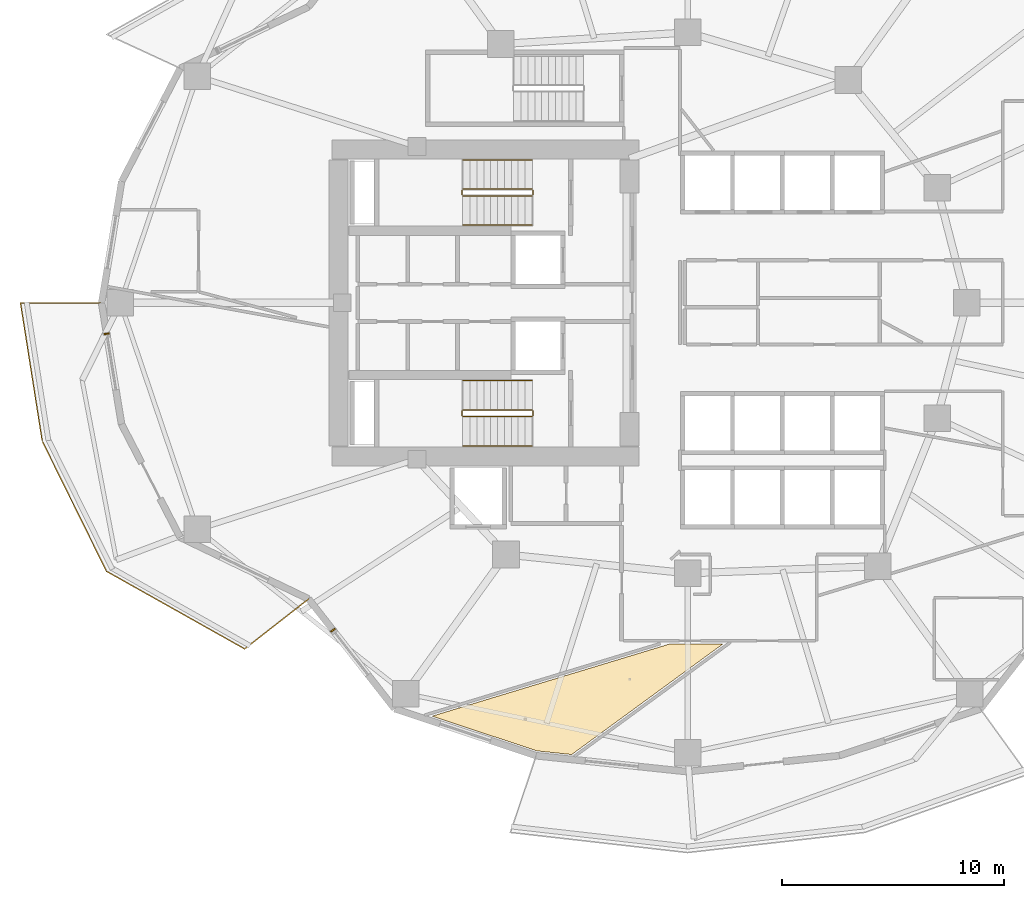
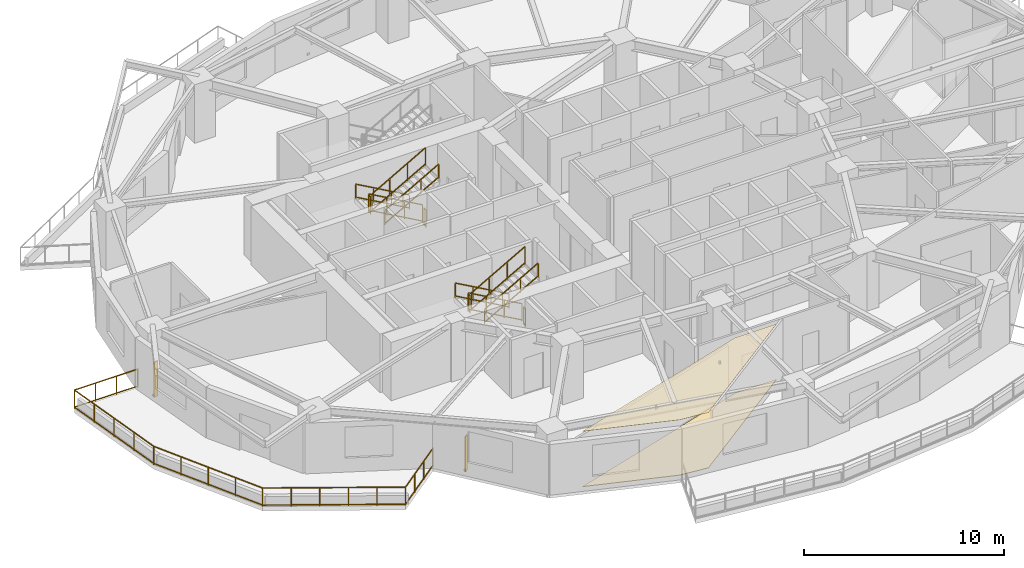
# One storey, part 12 of 16: 13 railings, 2 coverings, 2 shading devices.
"""IFC4 building model written with IfcOpenShell, lengths in metres."""

import ifcopenshell
import ifcopenshell.guid

model = None  # the IFC model being written
_history = None  # IfcOwnerHistory: only IFC2X3 demands one
_inside = {}  # id of a spatial element -> (the spatial element, [elements in it])
_under = {}  # id of a project, library or spatial element -> (it, [spatial elements below it])
_declared = {}  # id of a project -> (the project, [libraries it declares])
_typed = {}  # id of a type object -> (the type object, [elements of that type])
_made_of = {}  # id of a material, layer set ... -> (it, [elements and type objects made of it])


def new_model(schema):
    """Start an empty IFC model of exactly this schema.

    Asked for "IFC4X3", IfcOpenShell would pick the latest addendum, in which some entities
    have other attributes; the version numbers below select the first issue.
    IFC2X3 requires an IfcOwnerHistory on every rooted entity: one is made here for all.
    """
    global model, _history
    if schema == "IFC4X3":
        model = ifcopenshell.file(schema_version=(4, 3, 0, 0))
    else:
        model = ifcopenshell.file(schema=schema)
    _inside.clear()
    _under.clear()
    _declared.clear()
    _typed.clear()
    _made_of.clear()
    _history = None
    if model.schema == "IFC2X3":
        org = make("IfcOrganization", Name="unknown")
        user = make(
            "IfcPersonAndOrganization",
            ThePerson=make("IfcPerson", FamilyName="unknown"),
            TheOrganization=org,
        )
        app = make(
            "IfcApplication",
            ApplicationDeveloper=org,
            Version="unknown",
            ApplicationFullName="unknown",
            ApplicationIdentifier="unknown",
        )
        _history = make(
            "IfcOwnerHistory",
            OwningUser=user,
            OwningApplication=app,
            ChangeAction="ADDED",
            CreationDate=0,
        )
    return model


def make(cls, **values):
    """One entity of the class cls with the attributes given. An attribute that is None is left unset."""
    return model.create_entity(
        cls, **{name: value for name, value in values.items() if value is not None}
    )


def rooted(cls, **values):
    """An entity with a GlobalId (a new one), such as an element, a storey or a relation."""
    return make(cls, GlobalId=ifcopenshell.guid.new(), OwnerHistory=_history, **values)


def si_unit(unit_type, name, prefix=None):
    """IfcSIUnit, for example si_unit("LENGTHUNIT", "METRE", prefix="MILLI")."""
    return make("IfcSIUnit", UnitType=unit_type, Prefix=prefix, Name=name)


def assignment(units):
    """IfcUnitAssignment: the units of a project."""
    return None if units is None else make("IfcUnitAssignment", Units=units)


def point(xyz):
    """IfcCartesianPoint."""
    return None if xyz is None else make("IfcCartesianPoint", Coordinates=xyz)


def direction(xyz):
    """IfcDirection."""
    return None if xyz is None else make("IfcDirection", DirectionRatios=xyz)


def frame(location, z_axis=None, x_axis=None):
    """IfcAxis2Placement3D, a coordinate frame: its origin and axes. An axis left out is left unset."""
    return make(
        "IfcAxis2Placement3D",
        Location=point(location),
        Axis=direction(z_axis),
        RefDirection=direction(x_axis),
    )


def frame_2d(location, x_axis=None):
    """IfcAxis2Placement2D, a coordinate frame in the plane: its origin and x axis."""
    return make(
        "IfcAxis2Placement2D", Location=point(location), RefDirection=direction(x_axis)
    )


def origin():
    """The frame at (0, 0, 0) with its axes left unset."""
    return frame((0.0, 0.0, 0.0))


def origin_2d():
    """The frame at (0, 0) in the plane with its x axis left unset."""
    return frame_2d((0.0, 0.0))


def place(relative_to, where):
    """IfcLocalPlacement: puts the frame where relative to a parent placement (None: the world)."""
    return make(
        "IfcLocalPlacement", PlacementRelTo=relative_to, RelativePlacement=where
    )


def context(
    kind, dimensions, precision=None, world=None, true_north=None, identifier=None
):
    """IfcGeometricRepresentationContext, for example the 3D "Model" context."""
    return make(
        "IfcGeometricRepresentationContext",
        ContextIdentifier=identifier,
        ContextType=kind,
        CoordinateSpaceDimension=dimensions,
        Precision=precision,
        WorldCoordinateSystem=world,
        TrueNorth=true_north,
    )


def subcontext(parent, identifier, kind, view, scale=None):
    """IfcGeometricRepresentationSubContext, for example "Body" below "Model"."""
    return make(
        "IfcGeometricRepresentationSubContext",
        ContextIdentifier=identifier,
        ContextType=kind,
        ParentContext=parent,
        TargetScale=scale,
        TargetView=view,
    )


def project(units=None, contexts=None):
    """IfcProject with its units and contexts."""
    return rooted(
        "IfcProject",
        Name="project",
        RepresentationContexts=contexts,
        UnitsInContext=assignment(units),
    )


def spatial(cls, under=None, at=None, **own):
    """A site, building, storey or space (cls), placed at a placement, below another one or the project."""
    s = rooted(cls, ObjectPlacement=at, **own)
    if under is not None:
        _under.setdefault(under.id(), (under, []))[1].append(s)
    return s


def polyline(points):
    """IfcPolyline through the points."""
    return make("IfcPolyline", Points=[point(p) for p in points])


def profile(cls, at=None, kind="AREA", **sizes):
    """A parametric profile (cls). Its sizes go by their IFC names, for example OverallWidth=200.0."""
    return make(cls, ProfileType=kind, Position=at, **sizes)


def rectangle(**sizes):
    """IfcRectangleProfileDef."""
    return profile("IfcRectangleProfileDef", **sizes)


def outline(outer, holes=None, kind="AREA"):
    """IfcArbitraryClosedProfileDef: a profile drawn as a closed curve; with holes, ...WithVoids."""
    if holes is None:
        return make("IfcArbitraryClosedProfileDef", ProfileType=kind, OuterCurve=outer)
    return make(
        "IfcArbitraryProfileDefWithVoids",
        ProfileType=kind,
        OuterCurve=outer,
        InnerCurves=holes,
    )


def extrude(swept, where, along, depth):
    """IfcExtrudedAreaSolid: the profile swept, set in the frame where, extruded along a direction by depth."""
    return make(
        "IfcExtrudedAreaSolid",
        SweptArea=swept,
        Position=where,
        ExtrudedDirection=direction(along),
        Depth=depth,
    )


def shape(context_of_items, identifier, shape_type, items):
    """IfcShapeRepresentation: the items that make up one representation, for example the "Body"."""
    return make(
        "IfcShapeRepresentation",
        ContextOfItems=context_of_items,
        RepresentationIdentifier=identifier,
        RepresentationType=shape_type,
        Items=items,
    )


def material(Name=None, Category=None):
    """IfcMaterial."""
    return make("IfcMaterial", Name=Name, Category=Category)


def layer(
    of_material, thickness, ventilated=None, Name=None, Category=None, Priority=None
):
    """IfcMaterialLayer: one layer of a wall or slab, of a material (None: an air gap)."""
    return make(
        "IfcMaterialLayer",
        Material=of_material,
        LayerThickness=thickness,
        IsVentilated=ventilated,
        Name=Name,
        Category=Category,
        Priority=Priority,
    )


def layer_set(layers, Name=None):
    """IfcMaterialLayerSet."""
    return make("IfcMaterialLayerSet", MaterialLayers=layers, LayerSetName=Name)


def made_of(thing, what):
    """Note that an element or type object is made of a material, layer set ...; save() writes the relation."""
    if what is not None:
        _made_of.setdefault(what.id(), (what, []))[1].append(thing)
    return thing


def type_object(cls, material=None, **own):
    """A type object (cls), such as IfcWallType, which elements share."""
    return made_of(rooted(cls, **own), material)


def element(
    cls,
    number,
    at=None,
    inside=None,
    cuts=None,
    type_object=None,
    material=None,
    context=None,
    identifier="Body",
    shape_type=None,
    held_by="IfcProductDefinitionShape",
    body=None,
    shapes=None,
    **own,
):
    """One element of the class cls, such as IfcWall. Its Tag is "e" and its number.

    at: its placement. inside: the storey or other place that contains it. cuts: it is an
    opening in that element (IfcRelVoidsElement). A single representation is given by context,
    identifier, shape_type and body (its items); several are given by shapes. held_by: the class
    of the entity that holds the representations. save() writes the other relations.
    """
    e = rooted(cls, Tag="e%d" % number, ObjectPlacement=at, **own)
    if body is not None:
        shapes = [shape(context, identifier, shape_type, body)]
    if shapes is not None:
        e.Representation = make(held_by, Representations=shapes)
    if inside is not None:
        _inside.setdefault(inside.id(), (inside, []))[1].append(e)
    if cuts is not None:
        rooted(
            "IfcRelVoidsElement", RelatingBuildingElement=cuts, RelatedOpeningElement=e
        )
    if type_object is not None:
        _typed.setdefault(type_object.id(), (type_object, []))[1].append(e)
    return made_of(e, material)


def aggregate(whole, parts):
    """IfcRelAggregates: a whole, such as a stair, and the parts it consists of."""
    return rooted("IfcRelAggregates", RelatingObject=whole, RelatedObjects=parts)


def save(model, path):
    """Write the relations noted so far, then the file.

    IfcRelAggregates (storeys below a building ...), IfcRelContainedInSpatialStructure (elements
    in a storey), IfcRelDefinesByType, IfcRelAssociatesMaterial and IfcRelDeclares: one each for
    every whole, place, type object, material and project.
    """
    for whole, parts in _under.values():
        aggregate(whole, parts)
    for where, things in _inside.values():
        rooted(
            "IfcRelContainedInSpatialStructure",
            RelatedElements=things,
            RelatingStructure=where,
        )
    for kind, things in _typed.values():
        rooted("IfcRelDefinesByType", RelatedObjects=things, RelatingType=kind)
    for what, things in _made_of.values():
        rooted("IfcRelAssociatesMaterial", RelatedObjects=things, RelatingMaterial=what)
    for by, libraries in _declared.values():
        rooted("IfcRelDeclares", RelatingContext=by, RelatedDefinitions=libraries)
    model.write(path)


model = new_model("IFC4")

# Units and contexts
model_context = context("Model", 3, precision=1e-05, world=origin(), true_north=direction((0.0, 1.0)))
body_context = subcontext(model_context, "Body", "Model", "MODEL_VIEW")
ifc_project = project(units=[si_unit("LENGTHUNIT", "METRE"), si_unit("AREAUNIT", "SQUARE_METRE"), si_unit("VOLUMEUNIT", "CUBIC_METRE"), si_unit("PLANEANGLEUNIT", "RADIAN"), si_unit("MASSUNIT", "GRAM", prefix="KILO")], contexts=[model_context])

# Site, building, storey
site_placement = place(None, origin())
site = spatial("IfcSite", under=ifc_project, at=site_placement, CompositionType="ELEMENT")
building_placement = place(site_placement, origin())
building = spatial("IfcBuilding", under=site, at=building_placement, Name="Kolvaren Gate Tower and Convention Centre", CompositionType="ELEMENT")
storey_placement = place(building_placement, frame((0.0, 0.0, 65.0)))
storey = spatial("IfcBuildingStorey", under=building, at=storey_placement, Name="L15", CompositionType="ELEMENT", Elevation=65.0)

# Coverings
ifc_material_1 = material(Name="Perforated Mineral-Fibre Acoustic Ceiling Tile 18 mm", Category="gypsum")
ifc_layer_1 = layer(ifc_material_1, 0.01806640625)
ifc_layer_set_1 = layer_set([ifc_layer_1], Name="Perforated Mineral-Fibre Acoustic Ceiling Tile 18 mm")
covering_type_1 = type_object("IfcCoveringType", Name="ARCH-COV-CEIL-18", PredefinedType="CEILING", material=ifc_layer_set_1)
covering_1_placement = place(storey_placement, frame((0.0, 0.0, 3.389892578125)))
element("IfcCovering", 1, at=covering_1_placement, inside=storey, type_object=covering_type_1, Name="Legal Chambers Cellular Office Acoustic Suspended Ceiling", PredefinedType="CEILING", context=body_context, shape_type="SweptSolid", body=[
    extrude(outline(polyline([(24.89501953125, 6.6220703125), (23.3291015625, 6.787109375), (18.59912109375, 8.35400390625), (29.31689453125, 11.610107421875), (31.716064453125, 11.610107421875), (24.89501953125, 6.6220703125)])), origin(), (0.0, 0.0, 1.0), 0.01806640625),
])
ifc_material_2 = material(Name="Honed Sabana Limestone Terrazzo Flooring 30 mm", Category="masonry")
ifc_layer_2 = layer(ifc_material_2, 0.030029296875)
ifc_layer_set_2 = layer_set([ifc_layer_2], Name="Honed Sabana Limestone Terrazzo Flooring 30 mm")
covering_type_2 = type_object("IfcCoveringType", Name="ARCH-COV-FLR-30", PredefinedType="FLOORING", material=ifc_layer_set_2)
covering_2_placement = place(storey_placement, origin())
element("IfcCovering", 2, at=covering_2_placement, inside=storey, type_object=covering_type_2, Name="Legal Chambers Cellular Office Interior Finish Flooring", PredefinedType="FLOORING", context=body_context, shape_type="SweptSolid", body=[
    extrude(outline(polyline([(24.89501953125, 6.6220703125), (23.3291015625, 6.787109375), (18.59912109375, 8.35400390625), (29.31689453125, 11.610107421875), (31.716064453125, 11.610107421875), (24.89501953125, 6.6220703125)])), origin(), (0.0, 0.0, 1.0), 0.030029296875),
])

# Railings
ifc_material_3 = material(Name="Brushed Stainless Steel Grade 316L", Category="steel")
railing_type_1 = type_object("IfcRailingType", Name="ARCH-RL-GUARD-1150", PredefinedType="GUARDRAIL", material=ifc_material_3)
railing_1_placement = place(storey_placement, frame((23.10009765625, 32.1298828125, 0.175048828125)))
element("IfcRailing", 3, at=railing_1_placement, inside=storey, type_object=railing_type_1, Name="L15 ST-T1 stair guard 1", PredefinedType="GUARDRAIL", context=body_context, shape_type="SweptSolid", body=[
    extrude(rectangle(XDim=0.048095703125, YDim=0.048095703125, at=origin_2d()), frame((0.0, 0.0, 1.076171875), z_axis=(-0.870830938388, 0.0, 0.491582624537), x_axis=(0.0, -1.0, 0.0)), (0.0, 0.0, 1.0), 3.559814453125),
    extrude(rectangle(XDim=0.048095703125, YDim=0.048095703125, at=origin_2d()), frame((0.0, 0.0, 0.083984375), z_axis=(-0.870830938388, 0.0, 0.491582624537), x_axis=(0.0, -1.0, 0.0)), (0.0, 0.0, 1.0), 3.559814453125),
    extrude(rectangle(XDim=0.0419921875, YDim=0.0419921875, at=origin_2d()), origin(), (0.0, 0.0, 1.0), 1.050048828125),
    extrude(rectangle(XDim=0.0419921875, YDim=0.0419921875, at=origin_2d()), frame((-3.10009765625, 0.0, 1.75)), (0.0, 0.0, 1.0), 1.050048828125),
    extrude(rectangle(XDim=0.0419921875, YDim=0.0419921875, at=origin_2d()), frame((-1.033447265625, 0.0, 0.583251953125)), (0.0, 0.0, 1.0), 1.050048828125),
    extrude(rectangle(XDim=0.0419921875, YDim=0.0419921875, at=origin_2d()), frame((-2.066650390625, 0.0, 1.166748046875)), (0.0, 0.0, 1.0), 1.050048828125),
])
railing_2_placement = place(storey_placement, frame((19.949951171875, 32.080078125, 1.925048828125)))
element("IfcRailing", 4, at=railing_2_placement, inside=storey, type_object=railing_type_1, Name="L15 ST-T1 stair guard 2", PredefinedType="GUARDRAIL", context=body_context, shape_type="SweptSolid", body=[
    extrude(rectangle(XDim=0.048095703125, YDim=0.048095703125, at=origin_2d()), frame((0.0, 0.0, 1.076171875), z_axis=(0.0, -1.0, 0.0), x_axis=(1.0, 0.0, 0.0)), (0.0, 0.0, 1.0), 0.2001953125),
    extrude(rectangle(XDim=0.048095703125, YDim=0.048095703125, at=origin_2d()), frame((0.0, 0.0, 0.083984375), z_axis=(0.0, -1.0, 0.0), x_axis=(1.0, 0.0, 0.0)), (0.0, 0.0, 1.0), 0.2001953125),
    extrude(rectangle(XDim=0.0419921875, YDim=0.0419921875, at=origin_2d()), origin(), (0.0, 0.0, 1.0), 1.050048828125),
    extrude(rectangle(XDim=0.0419921875, YDim=0.0419921875, at=origin_2d()), frame((0.0, -0.2001953125, 0.0)), (0.0, 0.0, 1.0), 1.050048828125),
])
railing_3_placement = place(storey_placement, frame((20.0, 31.830078125, 2.10009765625)))
element("IfcRailing", 5, at=railing_3_placement, inside=storey, type_object=railing_type_1, Name="L15 ST-T1 stair guard 3", PredefinedType="GUARDRAIL", context=body_context, shape_type="SweptSolid", body=[
    extrude(rectangle(XDim=0.048095703125, YDim=0.048095703125, at=origin_2d()), frame((0.0, 0.0, 1.076171875), z_axis=(0.870830938388, 0.0, 0.491582624537), x_axis=(0.0, 1.0, 0.0)), (0.0, 0.0, 1.0), 3.559814453125),
    extrude(rectangle(XDim=0.048095703125, YDim=0.048095703125, at=origin_2d()), frame((0.0, 0.0, 0.083984375), z_axis=(0.870830938388, 0.0, 0.491582624537), x_axis=(0.0, 1.0, 0.0)), (0.0, 0.0, 1.0), 3.559814453125),
    extrude(rectangle(XDim=0.0419921875, YDim=0.0419921875, at=origin_2d()), origin(), (0.0, 0.0, 1.0), 1.050048828125),
    extrude(rectangle(XDim=0.0419921875, YDim=0.0419921875, at=origin_2d()), frame((3.10009765625, 0.0, 1.75)), (0.0, 0.0, 1.0), 1.050048828125),
    extrude(rectangle(XDim=0.0419921875, YDim=0.0419921875, at=origin_2d()), frame((1.033447265625, 0.0, 0.583251953125)), (0.0, 0.0, 1.0), 1.050048828125),
    extrude(rectangle(XDim=0.0419921875, YDim=0.0419921875, at=origin_2d()), frame((2.066650390625, 0.0, 1.166748046875)), (0.0, 0.0, 1.0), 1.050048828125),
])
railing_4_placement = place(storey_placement, frame((23.14990234375, 32.080078125, 0.0)))
element("IfcRailing", 6, at=railing_4_placement, inside=storey, type_object=railing_type_1, Name="L15 ST-T1 stair guard 4", PredefinedType="GUARDRAIL", context=body_context, shape_type="SweptSolid", body=[
    extrude(rectangle(XDim=0.048095703125, YDim=0.048095703125, at=origin_2d()), frame((0.0, 0.0, 1.076171875), z_axis=(0.0, -1.0, 0.0), x_axis=(1.0, 0.0, 0.0)), (0.0, 0.0, 1.0), 0.2001953125),
    extrude(rectangle(XDim=0.048095703125, YDim=0.048095703125, at=origin_2d()), frame((0.0, 0.0, 0.083984375), z_axis=(0.0, -1.0, 0.0), x_axis=(1.0, 0.0, 0.0)), (0.0, 0.0, 1.0), 0.2001953125),
    extrude(rectangle(XDim=0.0419921875, YDim=0.0419921875, at=origin_2d()), origin(), (0.0, 0.0, 1.0), 1.050048828125),
    extrude(rectangle(XDim=0.0419921875, YDim=0.0419921875, at=origin_2d()), frame((0.0, -0.2001953125, 0.0)), (0.0, 0.0, 1.0), 1.050048828125),
])
railing_5_placement = place(storey_placement, frame((23.10009765625, 22.169921875, 0.175048828125)))
element("IfcRailing", 7, at=railing_5_placement, inside=storey, type_object=railing_type_1, Name="L15 ST-T2 stair guard 1", PredefinedType="GUARDRAIL", context=body_context, shape_type="SweptSolid", body=[
    extrude(rectangle(XDim=0.048095703125, YDim=0.048095703125, at=origin_2d()), frame((0.0, 0.0, 1.076171875), z_axis=(-0.870830938388, 0.0, 0.491582624537), x_axis=(0.0, -1.0, 0.0)), (0.0, 0.0, 1.0), 3.559814453125),
    extrude(rectangle(XDim=0.048095703125, YDim=0.048095703125, at=origin_2d()), frame((0.0, 0.0, 0.083984375), z_axis=(-0.870830938388, 0.0, 0.491582624537), x_axis=(0.0, -1.0, 0.0)), (0.0, 0.0, 1.0), 3.559814453125),
    extrude(rectangle(XDim=0.0419921875, YDim=0.0419921875, at=origin_2d()), origin(), (0.0, 0.0, 1.0), 1.050048828125),
    extrude(rectangle(XDim=0.0419921875, YDim=0.0419921875, at=origin_2d()), frame((-3.10009765625, 0.0, 1.75)), (0.0, 0.0, 1.0), 1.050048828125),
    extrude(rectangle(XDim=0.0419921875, YDim=0.0419921875, at=origin_2d()), frame((-1.033447265625, 0.0, 0.583251953125)), (0.0, 0.0, 1.0), 1.050048828125),
    extrude(rectangle(XDim=0.0419921875, YDim=0.0419921875, at=origin_2d()), frame((-2.066650390625, 0.0, 1.166748046875)), (0.0, 0.0, 1.0), 1.050048828125),
])
railing_6_placement = place(storey_placement, frame((19.949951171875, 22.1201171875, 1.925048828125)))
element("IfcRailing", 8, at=railing_6_placement, inside=storey, type_object=railing_type_1, Name="L15 ST-T2 stair guard 2", PredefinedType="GUARDRAIL", context=body_context, shape_type="SweptSolid", body=[
    extrude(rectangle(XDim=0.048095703125, YDim=0.048095703125, at=origin_2d()), frame((0.0, 0.0, 1.076171875), z_axis=(0.0, -1.0, 0.0), x_axis=(1.0, 0.0, 0.0)), (0.0, 0.0, 1.0), 0.2001953125),
    extrude(rectangle(XDim=0.048095703125, YDim=0.048095703125, at=origin_2d()), frame((0.0, 0.0, 0.083984375), z_axis=(0.0, -1.0, 0.0), x_axis=(1.0, 0.0, 0.0)), (0.0, 0.0, 1.0), 0.2001953125),
    extrude(rectangle(XDim=0.0419921875, YDim=0.0419921875, at=origin_2d()), origin(), (0.0, 0.0, 1.0), 1.050048828125),
    extrude(rectangle(XDim=0.0419921875, YDim=0.0419921875, at=origin_2d()), frame((0.0, -0.2001953125, 0.0)), (0.0, 0.0, 1.0), 1.050048828125),
])
railing_7_placement = place(storey_placement, frame((20.0, 21.8701171875, 2.10009765625)))
element("IfcRailing", 9, at=railing_7_placement, inside=storey, type_object=railing_type_1, Name="L15 ST-T2 stair guard 3", PredefinedType="GUARDRAIL", context=body_context, shape_type="SweptSolid", body=[
    extrude(rectangle(XDim=0.048095703125, YDim=0.048095703125, at=origin_2d()), frame((0.0, 0.0, 1.076171875), z_axis=(0.870830938388, 0.0, 0.491582624537), x_axis=(0.0, 1.0, 0.0)), (0.0, 0.0, 1.0), 3.559814453125),
    extrude(rectangle(XDim=0.048095703125, YDim=0.048095703125, at=origin_2d()), frame((0.0, 0.0, 0.083984375), z_axis=(0.870830938388, 0.0, 0.491582624537), x_axis=(0.0, 1.0, 0.0)), (0.0, 0.0, 1.0), 3.559814453125),
    extrude(rectangle(XDim=0.0419921875, YDim=0.0419921875, at=origin_2d()), origin(), (0.0, 0.0, 1.0), 1.050048828125),
    extrude(rectangle(XDim=0.0419921875, YDim=0.0419921875, at=origin_2d()), frame((3.10009765625, 0.0, 1.75)), (0.0, 0.0, 1.0), 1.050048828125),
    extrude(rectangle(XDim=0.0419921875, YDim=0.0419921875, at=origin_2d()), frame((1.033447265625, 0.0, 0.583251953125)), (0.0, 0.0, 1.0), 1.050048828125),
    extrude(rectangle(XDim=0.0419921875, YDim=0.0419921875, at=origin_2d()), frame((2.066650390625, 0.0, 1.166748046875)), (0.0, 0.0, 1.0), 1.050048828125),
])
railing_8_placement = place(storey_placement, frame((23.14990234375, 22.1201171875, 0.0)))
element("IfcRailing", 10, at=railing_8_placement, inside=storey, type_object=railing_type_1, Name="L15 ST-T2 stair guard 4", PredefinedType="GUARDRAIL", context=body_context, shape_type="SweptSolid", body=[
    extrude(rectangle(XDim=0.048095703125, YDim=0.048095703125, at=origin_2d()), frame((0.0, 0.0, 1.076171875), z_axis=(0.0, -1.0, 0.0), x_axis=(1.0, 0.0, 0.0)), (0.0, 0.0, 1.0), 0.2001953125),
    extrude(rectangle(XDim=0.048095703125, YDim=0.048095703125, at=origin_2d()), frame((0.0, 0.0, 0.083984375), z_axis=(0.0, -1.0, 0.0), x_axis=(1.0, 0.0, 0.0)), (0.0, 0.0, 1.0), 0.2001953125),
    extrude(rectangle(XDim=0.0419921875, YDim=0.0419921875, at=origin_2d()), origin(), (0.0, 0.0, 1.0), 1.050048828125),
    extrude(rectangle(XDim=0.0419921875, YDim=0.0419921875, at=origin_2d()), frame((0.0, -0.2001953125, 0.0)), (0.0, 0.0, 1.0), 1.050048828125),
])
railing_9_placement = place(storey_placement, frame((3.6875, 27.0, 0.0)))
element("IfcRailing", 11, at=railing_9_placement, inside=storey, type_object=railing_type_1, Name="Tower L15 Terrace Perimeter Guardrail GR-2", PredefinedType="GUARDRAIL", context=body_context, shape_type="SweptSolid", body=[
    extrude(rectangle(XDim=0.048095703125, YDim=0.048095703125, at=origin_2d()), frame((-0.028076171875, 0.0, 1.1259765625), z_axis=(-1.0, 0.0, 0.0), x_axis=(0.0, -1.0, 0.0)), (0.0, 0.0, 1.0), 3.603759765625),
    extrude(rectangle(XDim=0.048095703125, YDim=0.048095703125, at=origin_2d()), frame((-0.028076171875, 0.0, 0.083984375), z_axis=(-1.0, 0.0, 0.0), x_axis=(0.0, -1.0, 0.0)), (0.0, 0.0, 1.0), 3.603759765625),
    extrude(rectangle(XDim=0.048095703125, YDim=0.048095703125, at=origin_2d()), frame((-3.655517578125, -0.027587890625, 1.1259765625), z_axis=(0.155418843943, -0.98784866399, 0.0), x_axis=(0.98784866399, 0.155418843943, 0.0)), (0.0, 0.0, 1.0), 6.261962890625),
    extrude(rectangle(XDim=0.048095703125, YDim=0.048095703125, at=origin_2d()), frame((-3.655517578125, -0.027587890625, 0.083984375), z_axis=(0.155418843943, -0.98784866399, 0.0), x_axis=(0.98784866399, 0.155418843943, 0.0)), (0.0, 0.0, 1.0), 6.261962890625),
    extrude(rectangle(XDim=0.048095703125, YDim=0.048095703125, at=origin_2d()), frame((-2.66552734375, -6.266357421875, 1.1259765625), z_axis=(0.442686636348, -0.89667638644, 0.0), x_axis=(0.89667638644, 0.442686636348, 0.0)), (0.0, 0.0, 1.0), 6.488525390625),
    extrude(rectangle(XDim=0.048095703125, YDim=0.048095703125, at=origin_2d()), frame((-2.66552734375, -6.266357421875, 0.083984375), z_axis=(0.442686636348, -0.89667638644, 0.0), x_axis=(0.89667638644, 0.442686636348, 0.0)), (0.0, 0.0, 1.0), 6.488525390625),
    extrude(rectangle(XDim=0.048095703125, YDim=0.048095703125, at=origin_2d()), frame((0.24365234375, -12.123291015625, 1.1259765625), z_axis=(0.871783301661, -0.489891697159, 0.0), x_axis=(0.489891697159, 0.871783301661, 0.0)), (0.0, 0.0, 1.0), 7.096435546875),
    extrude(rectangle(XDim=0.048095703125, YDim=0.048095703125, at=origin_2d()), frame((0.24365234375, -12.123291015625, 0.083984375), z_axis=(0.871783301661, -0.489891697159, 0.0), x_axis=(0.489891697159, 0.871783301661, 0.0)), (0.0, 0.0, 1.0), 7.096435546875),
    extrude(rectangle(XDim=0.048095703125, YDim=0.048095703125, at=origin_2d()), frame((6.476806640625, -15.59619140625, 1.1259765625), z_axis=(0.787988976981, 0.61568934712, 0.0), x_axis=(-0.61568934712, 0.787988976981, 0.0)), (0.0, 0.0, 1.0), 3.60400390625),
    extrude(rectangle(XDim=0.048095703125, YDim=0.048095703125, at=origin_2d()), frame((6.476806640625, -15.59619140625, 0.083984375), z_axis=(0.787988976981, 0.61568934712, 0.0), x_axis=(-0.61568934712, 0.787988976981, 0.0)), (0.0, 0.0, 1.0), 3.60400390625),
    extrude(rectangle(XDim=0.0419921875, YDim=0.0419921875, at=origin_2d()), origin(), (0.0, 0.0, 1.0), 1.14990234375),
    extrude(rectangle(XDim=0.0419921875, YDim=0.0419921875, at=origin_2d()), frame((-3.659912109375, 0.0, 0.0)), (0.0, 0.0, 1.0), 1.14990234375),
    extrude(rectangle(XDim=0.0419921875, YDim=0.0419921875, at=origin_2d()), frame((-1.219970703125, 0.0, 0.0)), (0.0, 0.0, 1.0), 1.099853515625),
    extrude(rectangle(XDim=0.0419921875, YDim=0.0419921875, at=origin_2d()), frame((-2.43994140625, 0.0, 0.0)), (0.0, 0.0, 1.0), 1.099853515625),
    extrude(rectangle(XDim=0.0419921875, YDim=0.0419921875, at=origin_2d()), frame((-2.677978515625, -6.2412109375, 0.0)), (0.0, 0.0, 1.0), 1.14990234375),
    extrude(rectangle(XDim=0.0419921875, YDim=0.0419921875, at=origin_2d()), frame((-3.41455078125, -1.560302734375, 0.0)), (0.0, 0.0, 1.0), 1.099853515625),
    extrude(rectangle(XDim=0.0419921875, YDim=0.0419921875, at=origin_2d()), frame((-3.1689453125, -3.12060546875, 0.0)), (0.0, 0.0, 1.0), 1.099853515625),
    extrude(rectangle(XDim=0.0419921875, YDim=0.0419921875, at=origin_2d()), frame((-2.92333984375, -4.680908203125, 0.0)), (0.0, 0.0, 1.0), 1.099853515625),
    extrude(rectangle(XDim=0.0419921875, YDim=0.0419921875, at=origin_2d()), frame((0.21923828125, -12.109619140625, 0.0)), (0.0, 0.0, 1.0), 1.14990234375),
    extrude(rectangle(XDim=0.0419921875, YDim=0.0419921875, at=origin_2d()), frame((-1.95361328125, -7.708251953125, 0.0)), (0.0, 0.0, 1.0), 1.099853515625),
    extrude(rectangle(XDim=0.0419921875, YDim=0.0419921875, at=origin_2d()), frame((-1.2294921875, -9.17529296875, 0.0)), (0.0, 0.0, 1.0), 1.099853515625),
    extrude(rectangle(XDim=0.0419921875, YDim=0.0419921875, at=origin_2d()), frame((-0.505126953125, -10.642578125, 0.0)), (0.0, 0.0, 1.0), 1.099853515625),
    extrude(rectangle(XDim=0.0419921875, YDim=0.0419921875, at=origin_2d()), frame((6.45458984375, -15.613525390625, 0.0)), (0.0, 0.0, 1.0), 1.14990234375),
    extrude(rectangle(XDim=0.0419921875, YDim=0.0419921875, at=origin_2d()), frame((1.46630859375, -12.810302734375, 0.0)), (0.0, 0.0, 1.0), 1.099853515625),
    extrude(rectangle(XDim=0.0419921875, YDim=0.0419921875, at=origin_2d()), frame((2.71337890625, -13.51123046875, 0.0)), (0.0, 0.0, 1.0), 1.099853515625),
    extrude(rectangle(XDim=0.0419921875, YDim=0.0419921875, at=origin_2d()), frame((3.96044921875, -14.2119140625, 0.0)), (0.0, 0.0, 1.0), 1.099853515625),
    extrude(rectangle(XDim=0.0419921875, YDim=0.0419921875, at=origin_2d()), frame((5.20751953125, -14.912841796875, 0.0)), (0.0, 0.0, 1.0), 1.099853515625),
    extrude(rectangle(XDim=0.0419921875, YDim=0.0419921875, at=origin_2d()), frame((9.338623046875, -13.360107421875, 0.0)), (0.0, 0.0, 1.0), 1.14990234375),
    extrude(rectangle(XDim=0.0419921875, YDim=0.0419921875, at=origin_2d()), frame((7.416015625, -14.8623046875, 0.0)), (0.0, 0.0, 1.0), 1.099853515625),
    extrude(rectangle(XDim=0.0419921875, YDim=0.0419921875, at=origin_2d()), frame((8.377197265625, -14.111328125, 0.0)), (0.0, 0.0, 1.0), 1.099853515625),
])
railing_type_2 = type_object("IfcRailingType", Name="ARCH-RL-HANDRAIL-920", PredefinedType="HANDRAIL", material=ifc_material_3)
railing_10_placement = place(storey_placement, frame((23.10009765625, 33.449951171875, 0.175048828125)))
element("IfcRailing", 12, at=railing_10_placement, inside=storey, type_object=railing_type_2, Name="L15 ST-T1 stair handrail 1", PredefinedType="HANDRAIL", context=body_context, shape_type="SweptSolid", body=[
    extrude(rectangle(XDim=0.048095703125, YDim=0.048095703125, at=origin_2d()), frame((0.0, 0.0, 0.8759765625), z_axis=(-0.870830938388, 0.0, 0.491582624537), x_axis=(0.0, -1.0, 0.0)), (0.0, 0.0, 1.0), 3.559814453125),
    extrude(rectangle(XDim=0.048095703125, YDim=0.048095703125, at=origin_2d()), frame((0.0, 0.0, 0.083984375), z_axis=(-0.870830938388, 0.0, 0.491582624537), x_axis=(0.0, -1.0, 0.0)), (0.0, 0.0, 1.0), 3.559814453125),
    extrude(rectangle(XDim=0.0419921875, YDim=0.0419921875, at=origin_2d()), origin(), (0.0, 0.0, 1.0), 0.849853515625),
    extrude(rectangle(XDim=0.0419921875, YDim=0.0419921875, at=origin_2d()), frame((-3.10009765625, 0.0, 1.75)), (0.0, 0.0, 1.0), 0.849853515625),
    extrude(rectangle(XDim=0.0419921875, YDim=0.0419921875, at=origin_2d()), frame((-1.033447265625, 0.0, 0.583251953125)), (0.0, 0.0, 1.0), 0.849853515625),
    extrude(rectangle(XDim=0.0419921875, YDim=0.0419921875, at=origin_2d()), frame((-2.066650390625, 0.0, 1.166748046875)), (0.0, 0.0, 1.0), 0.849853515625),
])
railing_11_placement = place(storey_placement, frame((20.0, 30.510009765625, 2.10009765625)))
element("IfcRailing", 13, at=railing_11_placement, inside=storey, type_object=railing_type_2, Name="L15 ST-T1 stair handrail 2", PredefinedType="HANDRAIL", context=body_context, shape_type="SweptSolid", body=[
    extrude(rectangle(XDim=0.048095703125, YDim=0.048095703125, at=origin_2d()), frame((0.0, 0.0, 0.8759765625), z_axis=(0.870830938388, 0.0, 0.491582624537), x_axis=(0.0, 1.0, 0.0)), (0.0, 0.0, 1.0), 3.559814453125),
    extrude(rectangle(XDim=0.048095703125, YDim=0.048095703125, at=origin_2d()), frame((0.0, 0.0, 0.083984375), z_axis=(0.870830938388, 0.0, 0.491582624537), x_axis=(0.0, 1.0, 0.0)), (0.0, 0.0, 1.0), 3.559814453125),
    extrude(rectangle(XDim=0.0419921875, YDim=0.0419921875, at=origin_2d()), origin(), (0.0, 0.0, 1.0), 0.849853515625),
    extrude(rectangle(XDim=0.0419921875, YDim=0.0419921875, at=origin_2d()), frame((3.10009765625, 0.0, 1.75)), (0.0, 0.0, 1.0), 0.849853515625),
    extrude(rectangle(XDim=0.0419921875, YDim=0.0419921875, at=origin_2d()), frame((1.033447265625, 0.0, 0.583251953125)), (0.0, 0.0, 1.0), 0.849853515625),
    extrude(rectangle(XDim=0.0419921875, YDim=0.0419921875, at=origin_2d()), frame((2.066650390625, 0.0, 1.166748046875)), (0.0, 0.0, 1.0), 0.849853515625),
])
railing_12_placement = place(storey_placement, frame((23.10009765625, 23.489990234375, 0.175048828125)))
element("IfcRailing", 14, at=railing_12_placement, inside=storey, type_object=railing_type_2, Name="L15 ST-T2 stair handrail 1", PredefinedType="HANDRAIL", context=body_context, shape_type="SweptSolid", body=[
    extrude(rectangle(XDim=0.048095703125, YDim=0.048095703125, at=origin_2d()), frame((0.0, 0.0, 0.8759765625), z_axis=(-0.870830938388, 0.0, 0.491582624537), x_axis=(0.0, -1.0, 0.0)), (0.0, 0.0, 1.0), 3.559814453125),
    extrude(rectangle(XDim=0.048095703125, YDim=0.048095703125, at=origin_2d()), frame((0.0, 0.0, 0.083984375), z_axis=(-0.870830938388, 0.0, 0.491582624537), x_axis=(0.0, -1.0, 0.0)), (0.0, 0.0, 1.0), 3.559814453125),
    extrude(rectangle(XDim=0.0419921875, YDim=0.0419921875, at=origin_2d()), origin(), (0.0, 0.0, 1.0), 0.849853515625),
    extrude(rectangle(XDim=0.0419921875, YDim=0.0419921875, at=origin_2d()), frame((-3.10009765625, 0.0, 1.75)), (0.0, 0.0, 1.0), 0.849853515625),
    extrude(rectangle(XDim=0.0419921875, YDim=0.0419921875, at=origin_2d()), frame((-1.033447265625, 0.0, 0.583251953125)), (0.0, 0.0, 1.0), 0.849853515625),
    extrude(rectangle(XDim=0.0419921875, YDim=0.0419921875, at=origin_2d()), frame((-2.066650390625, 0.0, 1.166748046875)), (0.0, 0.0, 1.0), 0.849853515625),
])
railing_13_placement = place(storey_placement, frame((20.0, 20.550048828125, 2.10009765625)))
element("IfcRailing", 15, at=railing_13_placement, inside=storey, type_object=railing_type_2, Name="L15 ST-T2 stair handrail 2", PredefinedType="HANDRAIL", context=body_context, shape_type="SweptSolid", body=[
    extrude(rectangle(XDim=0.048095703125, YDim=0.048095703125, at=origin_2d()), frame((0.0, 0.0, 0.8759765625), z_axis=(0.870830938388, 0.0, 0.491582624537), x_axis=(0.0, 1.0, 0.0)), (0.0, 0.0, 1.0), 3.559814453125),
    extrude(rectangle(XDim=0.048095703125, YDim=0.048095703125, at=origin_2d()), frame((0.0, 0.0, 0.083984375), z_axis=(0.870830938388, 0.0, 0.491582624537), x_axis=(0.0, 1.0, 0.0)), (0.0, 0.0, 1.0), 3.559814453125),
    extrude(rectangle(XDim=0.0419921875, YDim=0.0419921875, at=origin_2d()), origin(), (0.0, 0.0, 1.0), 0.849853515625),
    extrude(rectangle(XDim=0.0419921875, YDim=0.0419921875, at=origin_2d()), frame((3.10009765625, 0.0, 1.75)), (0.0, 0.0, 1.0), 0.849853515625),
    extrude(rectangle(XDim=0.0419921875, YDim=0.0419921875, at=origin_2d()), frame((1.033447265625, 0.0, 0.583251953125)), (0.0, 0.0, 1.0), 0.849853515625),
    extrude(rectangle(XDim=0.0419921875, YDim=0.0419921875, at=origin_2d()), frame((2.066650390625, 0.0, 1.166748046875)), (0.0, 0.0, 1.0), 0.849853515625),
])

# Shading devices
ifc_material_4 = material(Name="Kiln-Fired Bogota Terracotta Ceramic Louvre Profile", Category="masonry")
shading_device_type = type_object("IfcShadingDeviceType", Name="ARCH-SHD-FIN-180", PredefinedType="JALOUSIE", material=ifc_material_4)
for number, where, z_axis, x_axis, name in (
    (16, (3.9169921875, 25.604736328125, 0.219970703125), (0.0, 0.0, 1.0), (0.162375401515, -0.986729055508, 0.0), "Ceramic Vertical Brise-Soleil Fin FN-L15-12"),
    (17, (14.127685546875, 12.23291015625, 0.219970703125), (0.0, 0.0, 1.0), (0.616431370541, -0.787408639407, 0.0), "Ceramic Vertical Brise-Soleil Fin FN-L15-15"),
):
    element("IfcShadingDevice", number, at=place(storey_placement, frame(where, z_axis=z_axis, x_axis=x_axis)), inside=storey, type_object=shading_device_type, Name=name, PredefinedType="JALOUSIE", context=body_context, shape_type="SweptSolid", body=[
        extrude(rectangle(XDim=0.06005859375, YDim=0.239990234375, at=origin_2d()), origin(), (0.0, 0.0, 1.0), 2.14990234375),
    ])

save(model, "model.ifc")
